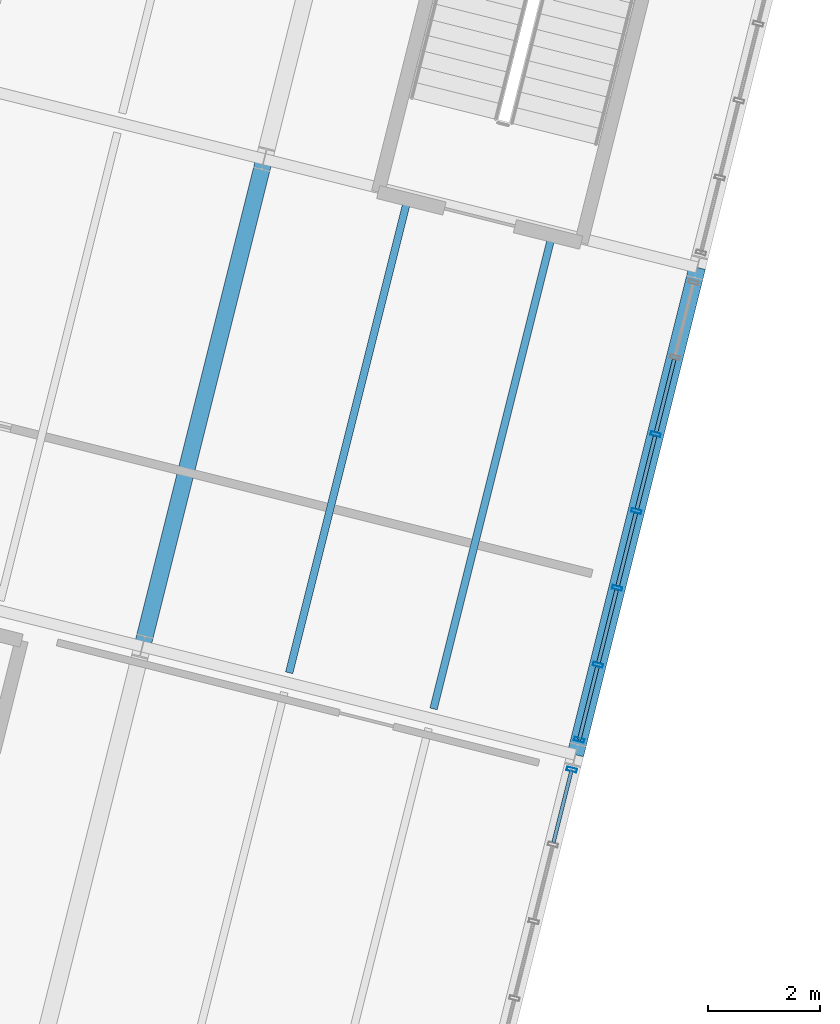
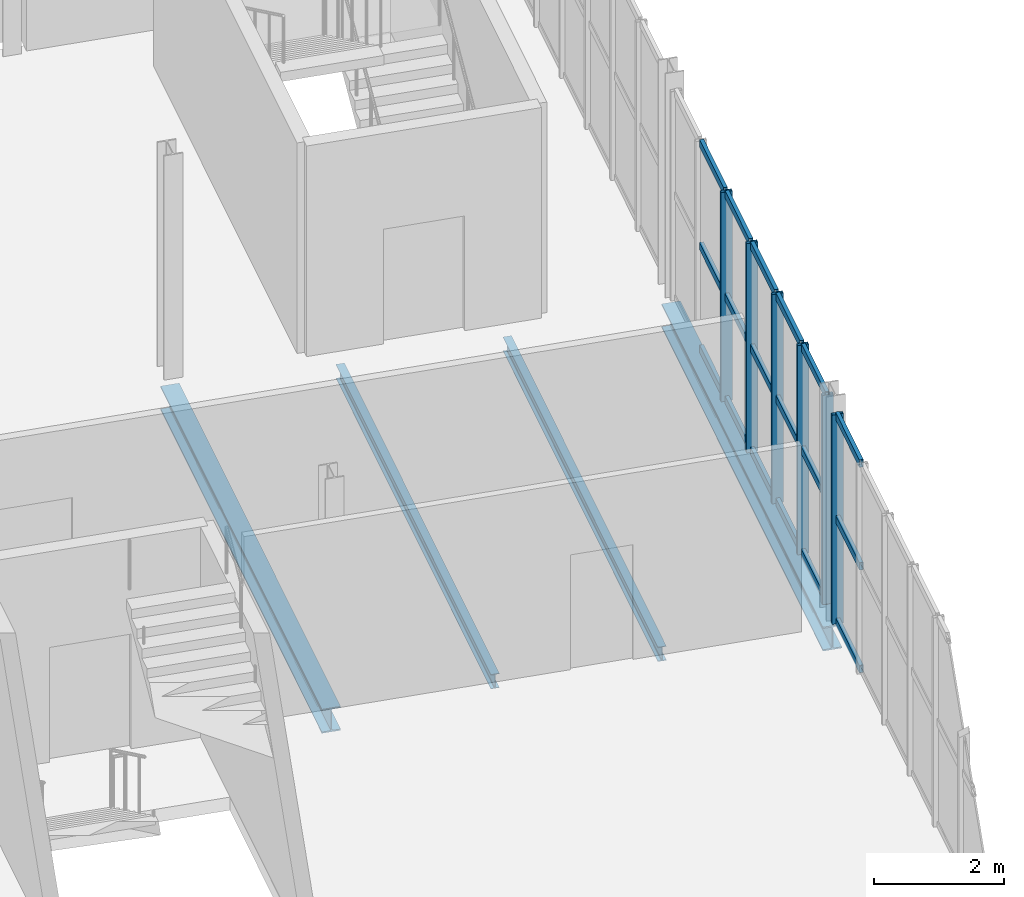
# One storey, part 35 of 61: 24 members, 4 beams, 2 elements without a shape of their own.
"""IFC4 building model written with IfcOpenShell, lengths in metres."""

from ifc_helpers import new_model, si_unit, derived_unit, direction, frame, origin, origin_2d, place, context, subcontext, project, spatial, hollow_rectangle, i_section, extrude, material, material_profile, profile_set, type_object, element, aggregate, save


model = new_model("IFC4")

# Units and contexts
model_context = context("Model", 3, precision=1e-05, world=origin(), true_north=direction((0.0, 1.0)))
body_context = subcontext(model_context, "Body", "Model", "MODEL_VIEW")
ifc_project = project(units=[si_unit("LENGTHUNIT", "METRE"), si_unit("AREAUNIT", "SQUARE_METRE"), si_unit("VOLUMEUNIT", "CUBIC_METRE"), si_unit("PLANEANGLEUNIT", "RADIAN"), si_unit("MASSUNIT", "GRAM", prefix="KILO"), si_unit("THERMODYNAMICTEMPERATUREUNIT", "KELVIN"), si_unit("TIMEUNIT", "SECOND"), derived_unit("THERMALTRANSMITTANCEUNIT", [(si_unit("MASSUNIT", "GRAM", prefix="KILO"), 1), (si_unit("THERMODYNAMICTEMPERATUREUNIT", "KELVIN"), -1), (si_unit("TIMEUNIT", "SECOND"), -3)])], contexts=[model_context])

# Site, building, storey
site_placement = place(None, origin())
site = spatial("IfcSite", under=ifc_project, at=site_placement, CompositionType="ELEMENT")
building_placement = place(site_placement, origin())
building = spatial("IfcBuilding", under=site, at=building_placement, Name="Cambertide Market Hall", CompositionType="ELEMENT")
storey_placement = place(building_placement, frame((0.0, 0.0, 9.89990234375)))
storey = spatial("IfcBuildingStorey", under=building, at=storey_placement, Name="L03", CompositionType="ELEMENT", Elevation=9.89990234375)

# Curtain wall, member
ifc_material_1 = material(Name="Marine Anodized Aluminium 6063-T6 AA25", Category="aluminium")
curtain_wall_type = type_object("IfcCurtainWallType", Name="Cooking School Classroom Curtain Wall", PredefinedType="USERDEFINED", material=ifc_material_1)
curtain_wall_1_placement = place(storey_placement, origin())
curtain_wall_1 = element("IfcCurtainWall", 1, at=curtain_wall_1_placement, inside=storey, type_object=curtain_wall_type, Name="Level 3 Curtain Wall CW-V4E-L03-1", ObjectType="UNITIZED CURTAIN WALL", PredefinedType="USERDEFINED")
ifc_material_2 = material(Name="Champagne Marine Anodized Aluminium 6063-T6 AA25", Category="aluminium")
ifc_material_profile_1 = material_profile(ifc_material_2, hollow_rectangle(XDim=0.06494140625, YDim=0.179931640625, WallThickness=0.00390625, at=origin_2d()), Name="ALU MULLION 65x180")
ifc_profile_set_1 = profile_set([ifc_material_profile_1], Name="Champagne Marine Anodized Aluminium 6063-T6 AA25")
member_type_1 = type_object("IfcMemberType", Name="Curtain Wall Mullion ALU MULLION 65x180", PredefinedType="MULLION", material=ifc_profile_set_1)
member_1_placement = place(storey_placement, frame((172.205322265625, 92.942138671875, 0.0), z_axis=(0.0, 0.0, 1.0), x_axis=(-0.242535569805, -0.970142513953, 0.0)))
member_1 = element("IfcMember", 2, at=member_1_placement, type_object=member_type_1, Name="CW-V4E-L03-1 Mullion 1", PredefinedType="MULLION", context=body_context, shape_type="SweptSolid", body=[
    extrude(hollow_rectangle(XDim=0.06494140625, YDim=0.179931640625, WallThickness=0.00390625, at=origin_2d()), origin(), (0.0, 0.0, 1.0), 3.920166015625),
])

# Curtain wall, members
curtain_wall_2_placement = place(storey_placement, origin())
curtain_wall_2 = element("IfcCurtainWall", 3, at=curtain_wall_2_placement, inside=storey, type_object=curtain_wall_type, Name="Level 3 Curtain Wall CW-V4E-L03-2", ObjectType="UNITIZED CURTAIN WALL", PredefinedType="USERDEFINED")
member_2_placement = place(storey_placement, frame((173.707763671875, 98.9521484375, 0.0), z_axis=(0.0, 0.0, 1.0), x_axis=(-0.24253568027, -0.970142486337, 0.0)))
member_2 = element("IfcMember", 4, at=member_2_placement, type_object=member_type_1, Name="CW-V4E-L03-2 Mullion 3", PredefinedType="MULLION", context=body_context, shape_type="SweptSolid", body=[
    extrude(hollow_rectangle(XDim=0.06494140625, YDim=0.179931640625, WallThickness=0.00390625, at=origin_2d()), origin(), (0.0, 0.0, 1.0), 3.920166015625),
])
member_3_placement = place(storey_placement, frame((173.36328125, 97.57470703125, 0.0), z_axis=(0.0, 0.0, 1.0), x_axis=(-0.24253568027, -0.970142486337, 0.0)))
member_3 = element("IfcMember", 5, at=member_3_placement, type_object=member_type_1, Name="CW-V4E-L03-2 Mullion 4", PredefinedType="MULLION", context=body_context, shape_type="SweptSolid", body=[
    extrude(hollow_rectangle(XDim=0.06494140625, YDim=0.179931640625, WallThickness=0.00390625, at=origin_2d()), origin(), (0.0, 0.0, 1.0), 3.920166015625),
])
member_4_placement = place(storey_placement, frame((173.01904296875, 96.197021484375, 0.0), z_axis=(0.0, 0.0, 1.0), x_axis=(-0.24253568027, -0.970142486337, 0.0)))
member_4 = element("IfcMember", 6, at=member_4_placement, type_object=member_type_1, Name="CW-V4E-L03-2 Mullion 5", PredefinedType="MULLION", context=body_context, shape_type="SweptSolid", body=[
    extrude(hollow_rectangle(XDim=0.06494140625, YDim=0.179931640625, WallThickness=0.00390625, at=origin_2d()), origin(), (0.0, 0.0, 1.0), 3.920166015625),
])
member_5_placement = place(storey_placement, frame((172.674560546875, 94.8193359375, 0.0), z_axis=(0.0, 0.0, 1.0), x_axis=(-0.24253568027, -0.970142486337, 0.0)))
member_5 = element("IfcMember", 7, at=member_5_placement, type_object=member_type_1, Name="CW-V4E-L03-2 Mullion 6", PredefinedType="MULLION", context=body_context, shape_type="SweptSolid", body=[
    extrude(hollow_rectangle(XDim=0.06494140625, YDim=0.179931640625, WallThickness=0.00390625, at=origin_2d()), origin(), (0.0, 0.0, 1.0), 3.920166015625),
])
member_6_placement = place(storey_placement, frame((172.338623046875, 93.475830078125, 0.0), z_axis=(0.0, 0.0, 1.0), x_axis=(-0.24253568027, -0.970142486337, 0.0)))
member_6 = element("IfcMember", 8, at=member_6_placement, type_object=member_type_1, Name="CW-V4E-L03-2 Mullion 7", PredefinedType="MULLION", context=body_context, shape_type="SweptSolid", body=[
    extrude(hollow_rectangle(XDim=0.06494140625, YDim=0.179931640625, WallThickness=0.00390625, at=origin_2d()), origin(), (0.0, 0.0, 1.0), 3.920166015625),
])

# Member
ifc_material_3 = material(Name="Champagne Marine Anodized Aluminium 6063-T6 AA25", Category="aluminium")
ifc_material_profile_2 = material_profile(ifc_material_3, hollow_rectangle(XDim=0.06494140625, YDim=0.139892578125, WallThickness=0.00341796875, at=origin_2d()), Name="ALU TRANSOM 65x140")
ifc_profile_set_2 = profile_set([ifc_material_profile_2], Name="Champagne Marine Anodized Aluminium 6063-T6 AA25")
member_type_2 = type_object("IfcMemberType", Name="Curtain Wall Transom ALU TRANSOM 65x140", PredefinedType="USERDEFINED", material=ifc_profile_set_2)
member_7_placement = place(storey_placement, frame((172.2041015625, 92.937255859375, 0.03515625), z_axis=(-0.242535625036, -0.970142500145, 0.0), x_axis=(0.970142500145, -0.242535625036, 0.0)))
member_7 = element("IfcMember", 9, at=member_7_placement, type_object=member_type_2, Name="CW-V4E-L03-1 Transom 1-1", ObjectType="TRANSOM", PredefinedType="USERDEFINED", context=body_context, shape_type="SweptSolid", body=[
    extrude(hollow_rectangle(XDim=0.06494140625, YDim=0.139892578125, WallThickness=0.00341796875, at=origin_2d()), origin(), (0.0, 0.0, 1.0), 1.33984375),
])

member_8_placement = place(storey_placement, frame((172.2041015625, 92.937255859375, 1.960205078125), z_axis=(-0.242535625036, -0.970142500145, 0.0), x_axis=(0.970142500145, -0.242535625036, 0.0)))
member_8 = element("IfcMember", 10, at=member_8_placement, type_object=member_type_2, Name="CW-V4E-L03-1 Transom 2-1", ObjectType="TRANSOM", PredefinedType="USERDEFINED", context=body_context, shape_type="SweptSolid", body=[
    extrude(hollow_rectangle(XDim=0.06494140625, YDim=0.139892578125, WallThickness=0.00341796875, at=origin_2d()), origin(), (0.0, 0.0, 1.0), 1.33984375),
])

member_9_placement = place(storey_placement, frame((172.2041015625, 92.937255859375, 3.885009765625), z_axis=(-0.242535625036, -0.970142500145, 0.0), x_axis=(0.970142500145, -0.242535625036, 0.0)))
member_9 = element("IfcMember", 11, at=member_9_placement, type_object=member_type_2, Name="CW-V4E-L03-1 Transom 3-1", ObjectType="TRANSOM", PredefinedType="USERDEFINED", context=body_context, shape_type="SweptSolid", body=[
    extrude(hollow_rectangle(XDim=0.06494140625, YDim=0.139892578125, WallThickness=0.00341796875, at=origin_2d()), origin(), (0.0, 0.0, 1.0), 1.33984375),
])

aggregate(curtain_wall_1, [member_1, member_7, member_8, member_9])

member_10_placement = place(storey_placement, frame((174.04248046875, 100.291015625, 0.03515625), z_axis=(-0.242492756941, -0.970153216163, 0.0), x_axis=(0.970153216163, -0.242492756941, 0.0)))
member_10 = element("IfcMember", 12, at=member_10_placement, type_object=member_type_2, Name="CW-V4E-L03-2 Transom 1-2", ObjectType="TRANSOM", PredefinedType="USERDEFINED", context=body_context, shape_type="SweptSolid", body=[
    extrude(hollow_rectangle(XDim=0.06494140625, YDim=0.139892578125, WallThickness=0.00341796875, at=origin_2d()), origin(), (0.0, 0.0, 1.0), 1.340087890625),
])

member_11_placement = place(storey_placement, frame((173.697998046875, 98.913330078125, 0.03515625), z_axis=(-0.242535625036, -0.970142500145, 0.0), x_axis=(0.970142500145, -0.242535625036, 0.0)))
member_11 = element("IfcMember", 13, at=member_11_placement, type_object=member_type_2, Name="CW-V4E-L03-2 Transom 1-3", ObjectType="TRANSOM", PredefinedType="USERDEFINED", context=body_context, shape_type="SweptSolid", body=[
    extrude(hollow_rectangle(XDim=0.06494140625, YDim=0.139892578125, WallThickness=0.00341796875, at=origin_2d()), origin(), (0.0, 0.0, 1.0), 1.33984375),
])

member_12_placement = place(storey_placement, frame((173.353759765625, 97.535888671875, 0.03515625), z_axis=(-0.242664220797, -0.970110342149, 0.0), x_axis=(0.970110342149, -0.242664220797, 0.0)))
member_12 = element("IfcMember", 14, at=member_12_placement, type_object=member_type_2, Name="CW-V4E-L03-2 Transom 1-4", ObjectType="TRANSOM", PredefinedType="USERDEFINED", context=body_context, shape_type="SweptSolid", body=[
    extrude(hollow_rectangle(XDim=0.06494140625, YDim=0.139892578125, WallThickness=0.00341796875, at=origin_2d()), origin(), (0.0, 0.0, 1.0), 1.340087890625),
])

member_13_placement = place(storey_placement, frame((173.00927734375, 96.158203125, 0.03515625), z_axis=(-0.242492756941, -0.970153216163, 0.0), x_axis=(0.970153216163, -0.242492756941, 0.0)))
member_13 = element("IfcMember", 15, at=member_13_placement, type_object=member_type_2, Name="CW-V4E-L03-2 Transom 1-5", ObjectType="TRANSOM", PredefinedType="USERDEFINED", context=body_context, shape_type="SweptSolid", body=[
    extrude(hollow_rectangle(XDim=0.06494140625, YDim=0.139892578125, WallThickness=0.00341796875, at=origin_2d()), origin(), (0.0, 0.0, 1.0), 1.340087890625),
])

member_14_placement = place(storey_placement, frame((172.664794921875, 94.780517578125, 0.03515625), z_axis=(-0.242535625036, -0.970142500145, 0.0), x_axis=(0.970142500145, -0.242535625036, 0.0)))
member_14 = element("IfcMember", 16, at=member_14_placement, type_object=member_type_2, Name="CW-V4E-L03-2 Transom 1-6", ObjectType="TRANSOM", PredefinedType="USERDEFINED", context=body_context, shape_type="SweptSolid", body=[
    extrude(hollow_rectangle(XDim=0.06494140625, YDim=0.139892578125, WallThickness=0.00341796875, at=origin_2d()), origin(), (0.0, 0.0, 1.0), 1.33984375),
])

member_15_placement = place(storey_placement, frame((174.04248046875, 100.291015625, 1.960205078125), z_axis=(-0.242492756941, -0.970153216163, 0.0), x_axis=(0.970153216163, -0.242492756941, 0.0)))
member_15 = element("IfcMember", 17, at=member_15_placement, type_object=member_type_2, Name="CW-V4E-L03-2 Transom 2-2", ObjectType="TRANSOM", PredefinedType="USERDEFINED", context=body_context, shape_type="SweptSolid", body=[
    extrude(hollow_rectangle(XDim=0.06494140625, YDim=0.139892578125, WallThickness=0.00341796875, at=origin_2d()), origin(), (0.0, 0.0, 1.0), 1.340087890625),
])

member_16_placement = place(storey_placement, frame((173.697998046875, 98.913330078125, 1.960205078125), z_axis=(-0.242535625036, -0.970142500145, 0.0), x_axis=(0.970142500145, -0.242535625036, 0.0)))
member_16 = element("IfcMember", 18, at=member_16_placement, type_object=member_type_2, Name="CW-V4E-L03-2 Transom 2-3", ObjectType="TRANSOM", PredefinedType="USERDEFINED", context=body_context, shape_type="SweptSolid", body=[
    extrude(hollow_rectangle(XDim=0.06494140625, YDim=0.139892578125, WallThickness=0.00341796875, at=origin_2d()), origin(), (0.0, 0.0, 1.0), 1.33984375),
])

member_17_placement = place(storey_placement, frame((173.353759765625, 97.535888671875, 1.960205078125), z_axis=(-0.242664220797, -0.970110342149, 0.0), x_axis=(0.970110342149, -0.242664220797, 0.0)))
member_17 = element("IfcMember", 19, at=member_17_placement, type_object=member_type_2, Name="CW-V4E-L03-2 Transom 2-4", ObjectType="TRANSOM", PredefinedType="USERDEFINED", context=body_context, shape_type="SweptSolid", body=[
    extrude(hollow_rectangle(XDim=0.06494140625, YDim=0.139892578125, WallThickness=0.00341796875, at=origin_2d()), origin(), (0.0, 0.0, 1.0), 1.340087890625),
])

member_18_placement = place(storey_placement, frame((173.00927734375, 96.158203125, 1.960205078125), z_axis=(-0.242492756941, -0.970153216163, 0.0), x_axis=(0.970153216163, -0.242492756941, 0.0)))
member_18 = element("IfcMember", 20, at=member_18_placement, type_object=member_type_2, Name="CW-V4E-L03-2 Transom 2-5", ObjectType="TRANSOM", PredefinedType="USERDEFINED", context=body_context, shape_type="SweptSolid", body=[
    extrude(hollow_rectangle(XDim=0.06494140625, YDim=0.139892578125, WallThickness=0.00341796875, at=origin_2d()), origin(), (0.0, 0.0, 1.0), 1.340087890625),
])

member_19_placement = place(storey_placement, frame((172.664794921875, 94.780517578125, 1.960205078125), z_axis=(-0.242535625036, -0.970142500145, 0.0), x_axis=(0.970142500145, -0.242535625036, 0.0)))
member_19 = element("IfcMember", 21, at=member_19_placement, type_object=member_type_2, Name="CW-V4E-L03-2 Transom 2-6", ObjectType="TRANSOM", PredefinedType="USERDEFINED", context=body_context, shape_type="SweptSolid", body=[
    extrude(hollow_rectangle(XDim=0.06494140625, YDim=0.139892578125, WallThickness=0.00341796875, at=origin_2d()), origin(), (0.0, 0.0, 1.0), 1.33984375),
])

member_20_placement = place(storey_placement, frame((174.04248046875, 100.291015625, 3.885009765625), z_axis=(-0.242492756941, -0.970153216163, 0.0), x_axis=(0.970153216163, -0.242492756941, 0.0)))
member_20 = element("IfcMember", 22, at=member_20_placement, type_object=member_type_2, Name="CW-V4E-L03-2 Transom 3-2", ObjectType="TRANSOM", PredefinedType="USERDEFINED", context=body_context, shape_type="SweptSolid", body=[
    extrude(hollow_rectangle(XDim=0.06494140625, YDim=0.139892578125, WallThickness=0.00341796875, at=origin_2d()), origin(), (0.0, 0.0, 1.0), 1.340087890625),
])

member_21_placement = place(storey_placement, frame((173.697998046875, 98.913330078125, 3.885009765625), z_axis=(-0.242535625036, -0.970142500145, 0.0), x_axis=(0.970142500145, -0.242535625036, 0.0)))
member_21 = element("IfcMember", 23, at=member_21_placement, type_object=member_type_2, Name="CW-V4E-L03-2 Transom 3-3", ObjectType="TRANSOM", PredefinedType="USERDEFINED", context=body_context, shape_type="SweptSolid", body=[
    extrude(hollow_rectangle(XDim=0.06494140625, YDim=0.139892578125, WallThickness=0.00341796875, at=origin_2d()), origin(), (0.0, 0.0, 1.0), 1.33984375),
])

member_22_placement = place(storey_placement, frame((173.353759765625, 97.535888671875, 3.885009765625), z_axis=(-0.242664220797, -0.970110342149, 0.0), x_axis=(0.970110342149, -0.242664220797, 0.0)))
member_22 = element("IfcMember", 24, at=member_22_placement, type_object=member_type_2, Name="CW-V4E-L03-2 Transom 3-4", ObjectType="TRANSOM", PredefinedType="USERDEFINED", context=body_context, shape_type="SweptSolid", body=[
    extrude(hollow_rectangle(XDim=0.06494140625, YDim=0.139892578125, WallThickness=0.00341796875, at=origin_2d()), origin(), (0.0, 0.0, 1.0), 1.340087890625),
])

member_23_placement = place(storey_placement, frame((173.00927734375, 96.158203125, 3.885009765625), z_axis=(-0.242492756941, -0.970153216163, 0.0), x_axis=(0.970153216163, -0.242492756941, 0.0)))
member_23 = element("IfcMember", 25, at=member_23_placement, type_object=member_type_2, Name="CW-V4E-L03-2 Transom 3-5", ObjectType="TRANSOM", PredefinedType="USERDEFINED", context=body_context, shape_type="SweptSolid", body=[
    extrude(hollow_rectangle(XDim=0.06494140625, YDim=0.139892578125, WallThickness=0.00341796875, at=origin_2d()), origin(), (0.0, 0.0, 1.0), 1.340087890625),
])

member_24_placement = place(storey_placement, frame((172.664794921875, 94.780517578125, 3.885009765625), z_axis=(-0.242535625036, -0.970142500145, 0.0), x_axis=(0.970142500145, -0.242535625036, 0.0)))
member_24 = element("IfcMember", 26, at=member_24_placement, type_object=member_type_2, Name="CW-V4E-L03-2 Transom 3-6", ObjectType="TRANSOM", PredefinedType="USERDEFINED", context=body_context, shape_type="SweptSolid", body=[
    extrude(hollow_rectangle(XDim=0.06494140625, YDim=0.139892578125, WallThickness=0.00341796875, at=origin_2d()), origin(), (0.0, 0.0, 1.0), 1.33984375),
])

aggregate(curtain_wall_2, [member_2, member_3, member_4, member_5, member_6, member_10, member_11, member_12, member_13, member_14, member_15, member_16, member_17, member_18, member_19, member_20, member_21, member_22, member_23, member_24])

# Beams
ifc_material_4 = material(Name="Steel S355", Category="steel")
ifc_material_profile_3 = material_profile(ifc_material_4, i_section(OverallWidth=0.300048828125, OverallDepth=0.449951171875, WebThickness=0.013916015625, FlangeThickness=0.02587890625, FilletRadius=0.027099609375, at=origin_2d()), Name="HEB 450")
ifc_profile_set_3 = profile_set([ifc_material_profile_3], Name="Steel S355")
beam_type_1 = type_object("IfcBeamType", Name="Steel Girder HEB 450", PredefinedType="BEAM", material=ifc_profile_set_3)
beam_1_placement = place(storey_placement, frame((164.5107421875, 95.149169921875, -0.469970703125), z_axis=(0.242535625036, 0.970142500145, 0.0), x_axis=(-0.970142500145, 0.242535625036, 0.0)))
element("IfcBeam", 27, at=beam_1_placement, inside=storey, type_object=beam_type_1, Name="Level 3 Beam BM-V4V-L03-8-2", PredefinedType="BEAM", context=body_context, shape_type="SweptSolid", body=[
    extrude(i_section(OverallWidth=0.300048828125, OverallDepth=0.449951171875, WebThickness=0.013916015625, FlangeThickness=0.02587890625, FilletRadius=0.027099609375, at=origin_2d()), origin(), (0.0, 0.0, 1.0), 9.000244140625),
])
beam_2_placement = place(storey_placement, frame((172.27197265625, 93.208984375, -0.469970703125), z_axis=(0.242542007841, 0.970140904422, 0.0), x_axis=(-0.970140904422, 0.242542007841, 0.0)))
element("IfcBeam", 28, at=beam_2_placement, inside=storey, type_object=beam_type_1, Name="Level 3 Beam BM-V4V-L03-9-2", PredefinedType="BEAM", context=body_context, shape_type="SweptSolid", body=[
    extrude(i_section(OverallWidth=0.300048828125, OverallDepth=0.449951171875, WebThickness=0.013916015625, FlangeThickness=0.02587890625, FilletRadius=0.027099609375, at=origin_2d()), origin(), (0.0, 0.0, 1.0), 9.0),
])
ifc_material_5 = material(Name="Steel S275", Category="steel")
ifc_material_profile_4 = material_profile(ifc_material_5, i_section(OverallWidth=0.135009765625, OverallDepth=0.27001953125, WebThickness=0.006591796875, FlangeThickness=0.01025390625, FilletRadius=0.014892578125, at=origin_2d()), Name="IPE 270")
ifc_profile_set_4 = profile_set([ifc_material_profile_4], Name="Steel S275")
beam_type_2 = type_object("IfcBeamType", Name="Steel Secondary Joist IPE 270", PredefinedType="JOIST", material=ifc_profile_set_4)
beam_3_placement = place(storey_placement, frame((167.1416015625, 94.67724609375, -0.3798828125), z_axis=(0.242535625036, 0.970142500145, 0.0), x_axis=(-0.970142500145, 0.242535625036, 0.0)))
element("IfcBeam", 29, at=beam_3_placement, inside=storey, type_object=beam_type_2, Name="Level 3 Joist JS-V4-L03-8-2-1", PredefinedType="JOIST", context=body_context, shape_type="SweptSolid", body=[
    extrude(i_section(OverallWidth=0.135009765625, OverallDepth=0.27001953125, WebThickness=0.006591796875, FlangeThickness=0.01025390625, FilletRadius=0.014892578125, at=origin_2d()), origin(), (0.0, 0.0, 1.0), 8.639892578125),
])
beam_4_placement = place(storey_placement, frame((169.728515625, 94.0302734375, -0.3798828125), z_axis=(0.242528976348, 0.970144162293, 0.0), x_axis=(-0.970144162293, 0.242528976348, 0.0)))
element("IfcBeam", 30, at=beam_4_placement, inside=storey, type_object=beam_type_2, Name="Level 3 Joist JS-V4-L03-8-2-2", PredefinedType="JOIST", context=body_context, shape_type="SweptSolid", body=[
    extrude(i_section(OverallWidth=0.135009765625, OverallDepth=0.27001953125, WebThickness=0.006591796875, FlangeThickness=0.01025390625, FilletRadius=0.014892578125, at=origin_2d()), origin(), (0.0, 0.0, 1.0), 8.64013671875),
])

save(model, "model.ifc")
